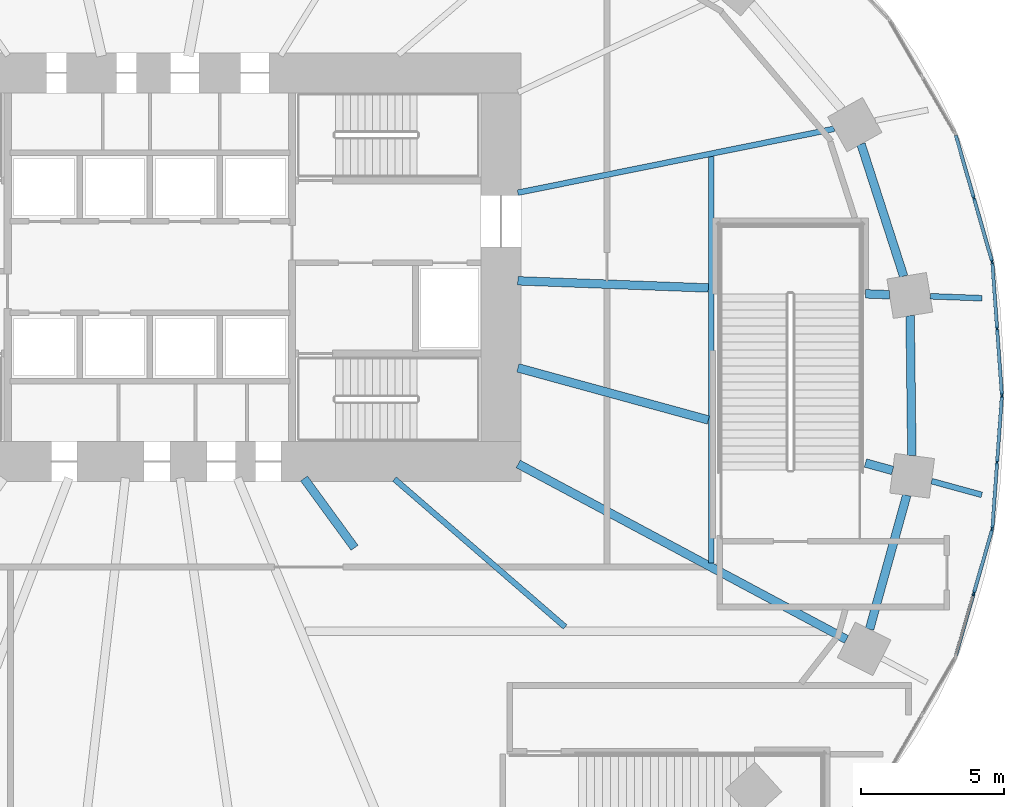
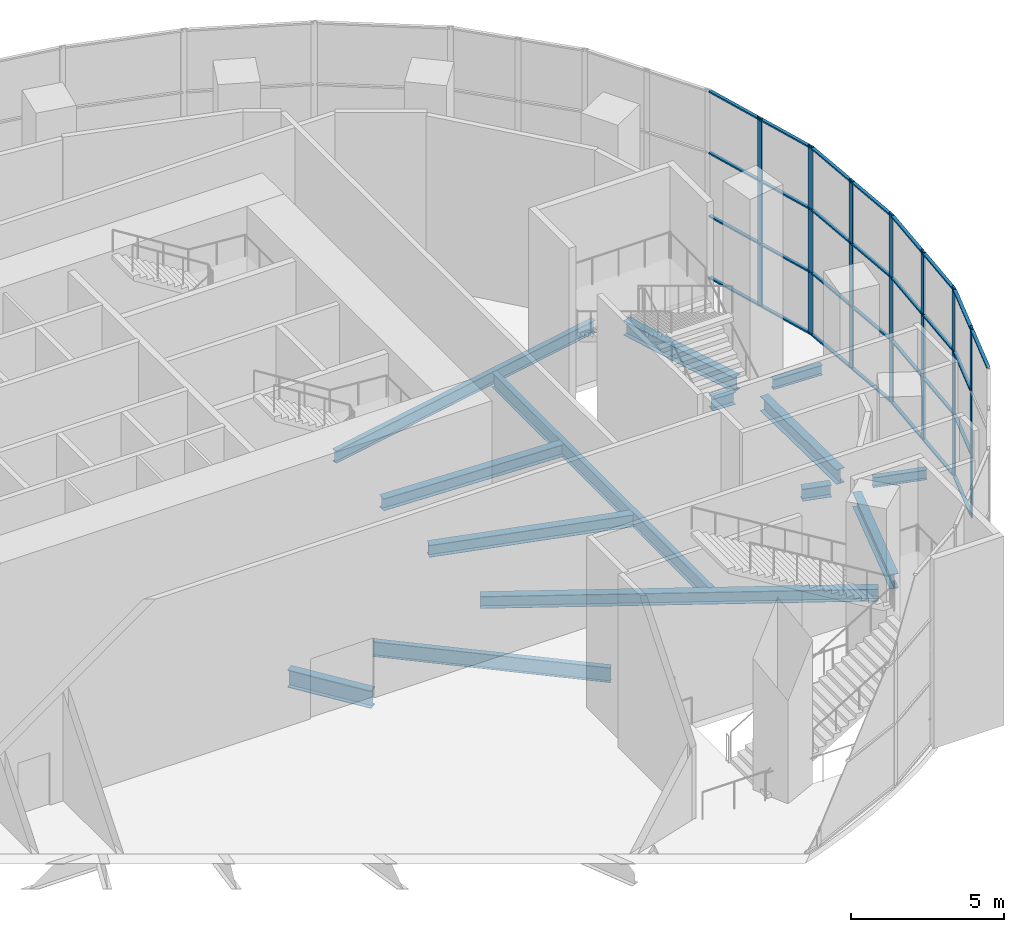
# One storey, part 6 of 22: 36 members, 14 beams, 4 elements without a shape of their own.
"""IFC4 building model written with IfcOpenShell, lengths in metres."""

from ifc_helpers import new_model, si_unit, direction, frame, origin, origin_2d, place, context, subcontext, project, spatial, rectangle, i_section, extrude, material, material_profile, profile_set, type_object, element, aggregate, save


model = new_model("IFC4")

# Units and contexts
model_context = context("Model", 3, precision=1e-05, world=origin(), true_north=direction((0.0, 1.0)))
body_context = subcontext(model_context, "Body", "Model", "MODEL_VIEW")
ifc_project = project(units=[si_unit("LENGTHUNIT", "METRE"), si_unit("AREAUNIT", "SQUARE_METRE"), si_unit("VOLUMEUNIT", "CUBIC_METRE"), si_unit("PLANEANGLEUNIT", "RADIAN"), si_unit("MASSUNIT", "GRAM", prefix="KILO")], contexts=[model_context])

# Site, building, storey
site_placement = place(None, origin())
site = spatial("IfcSite", under=ifc_project, at=site_placement, CompositionType="ELEMENT")
building_placement = place(site_placement, origin())
building = spatial("IfcBuilding", under=site, at=building_placement, Name="Rubra Terraces Tower", CompositionType="ELEMENT")
storey_placement = place(building_placement, frame((0.0, 0.0, 7.199951171875)))
storey = spatial("IfcBuildingStorey", under=building, at=storey_placement, Name="L01", CompositionType="ELEMENT", Elevation=7.199951171875)

# Beams
ifc_material_1 = material(Name="Steel Q355B", Category="steel")
ifc_material_profile_1 = material_profile(ifc_material_1, i_section(OverallWidth=0.199951171875, OverallDepth=0.39990234375, WebThickness=0.008056640625, FlangeThickness=0.012939453125, at=origin_2d()), Name="HN 400x200x8x13")
ifc_profile_set_1 = profile_set([ifc_material_profile_1], Name="Steel Q355B")
beam_type_1 = type_object("IfcBeamType", Name="CANTILEVER BEAM HN 400x200x8x13", PredefinedType="BEAM", material=ifc_profile_set_1)
beam_1_placement = place(storey_placement, frame((27.319091796875, 3.47607421875, -0.449951171875), z_axis=(0.999296482656, -0.037503863151, 0.0), x_axis=(0.037503863151, 0.999296482656, 0.0)))
element("IfcBeam", 1, at=beam_1_placement, inside=storey, type_object=beam_type_1, Name="beam-L01-cant-01", PredefinedType="BEAM", context=body_context, shape_type="SweptSolid", body=[
    extrude(i_section(OverallWidth=0.199951171875, OverallDepth=0.39990234375, WebThickness=0.008056640625, FlangeThickness=0.012939453125, at=origin_2d()), origin(), (0.0, 0.0, 1.0), 1.816162109375),
])
beam_2_placement = place(storey_placement, frame((27.365966796875, -2.9951171875, -0.449951171875), z_axis=(0.964481687863, -0.264149718489, 0.0), x_axis=(0.264149718489, 0.964481687863, 0.0)))
element("IfcBeam", 2, at=beam_2_placement, inside=storey, type_object=beam_type_1, Name="beam-L01-cant-24", PredefinedType="BEAM", context=body_context, shape_type="SweptSolid", body=[
    extrude(i_section(OverallWidth=0.199951171875, OverallDepth=0.39990234375, WebThickness=0.008056640625, FlangeThickness=0.012939453125, at=origin_2d()), origin(), (0.0, 0.0, 1.0), 1.82080078125),
])
ifc_material_profile_2 = material_profile(ifc_material_1, i_section(OverallWidth=0.300048828125, OverallDepth=0.48193359375, WebThickness=0.010986328125, FlangeThickness=0.014892578125, at=origin_2d()), Name="HM 482x300x11x15")
ifc_profile_set_2 = profile_set([ifc_material_profile_2], Name="Steel Q355B")
beam_type_2 = type_object("IfcBeamType", Name="FLOOR BEAM HM 482x300x11x15", PredefinedType="BEAM", material=ifc_profile_set_2)
beam_3_placement = place(storey_placement, frame((25.89111328125, 3.530029296875, -0.490966796875), z_axis=(-0.999321176912, 0.036839996943, 0.0), x_axis=(-0.036839996943, -0.999321176912, 0.0)))
element("IfcBeam", 3, at=beam_3_placement, inside=storey, type_object=beam_type_2, Name="beam-L01-floor-01-a", PredefinedType="BEAM", context=body_context, shape_type="SweptSolid", body=[
    extrude(i_section(OverallWidth=0.300048828125, OverallDepth=0.48193359375, WebThickness=0.010986328125, FlangeThickness=0.014892578125, at=origin_2d()), origin(), (0.0, 0.0, 1.0), 0.841552734375),
])
beam_4_placement = place(storey_placement, frame((19.550048828125, 3.76708984375, -0.490966796875), z_axis=(-0.99929835172, 0.037454028482, 0.0), x_axis=(-0.037454028482, -0.99929835172, 0.0)))
element("IfcBeam", 4, at=beam_4_placement, inside=storey, type_object=beam_type_2, Name="beam-L01-floor-01-b", PredefinedType="BEAM", context=body_context, shape_type="SweptSolid", body=[
    extrude(i_section(OverallWidth=0.300048828125, OverallDepth=0.48193359375, WebThickness=0.010986328125, FlangeThickness=0.014892578125, at=origin_2d()), origin(), (0.0, 0.0, 1.0), 6.6748046875),
])
beam_5_placement = place(storey_placement, frame((24.385009765625, -8.535888671875, -0.490966796875), z_axis=(-0.881896613876, 0.471442851716, 0.0), x_axis=(-0.471442851716, -0.881896613876, 0.0)))
element("IfcBeam", 5, at=beam_5_placement, inside=storey, type_object=beam_type_2, Name="beam-L01-floor-23", PredefinedType="BEAM", context=body_context, shape_type="SweptSolid", body=[
    extrude(i_section(OverallWidth=0.300048828125, OverallDepth=0.48193359375, WebThickness=0.010986328125, FlangeThickness=0.014892578125, at=origin_2d()), origin(), (0.0, 0.0, 1.0), 13.02978515625),
])
beam_6_placement = place(storey_placement, frame((26.001953125, -2.62109375, -0.490966796875), z_axis=(-0.964409050959, 0.264414792376, 0.0), x_axis=(-0.264414792376, -0.964409050959, 0.0)))
element("IfcBeam", 6, at=beam_6_placement, inside=storey, type_object=beam_type_2, Name="beam-L01-floor-24-a", PredefinedType="BEAM", context=body_context, shape_type="SweptSolid", body=[
    extrude(i_section(OverallWidth=0.300048828125, OverallDepth=0.48193359375, WebThickness=0.010986328125, FlangeThickness=0.014892578125, at=origin_2d()), origin(), (0.0, 0.0, 1.0), 0.987060546875),
])
beam_7_placement = place(storey_placement, frame((19.550048828125, -0.85498046875, -0.490966796875), z_axis=(-0.96447222005, 0.26418428559, 0.0), x_axis=(-0.26418428559, -0.96447222005, 0.0)))
element("IfcBeam", 7, at=beam_7_placement, inside=storey, type_object=beam_type_2, Name="beam-L01-floor-24-b", PredefinedType="BEAM", context=body_context, shape_type="SweptSolid", body=[
    extrude(i_section(OverallWidth=0.300048828125, OverallDepth=0.48193359375, WebThickness=0.010986328125, FlangeThickness=0.014892578125, at=origin_2d()), origin(), (0.0, 0.0, 1.0), 6.91162109375),
])
ifc_material_profile_3 = material_profile(ifc_material_1, i_section(OverallWidth=0.198974609375, OverallDepth=0.49609375, WebThickness=0.009033203125, FlangeThickness=0.013916015625, at=origin_2d()), Name="HN 496x199x9x14")
ifc_profile_set_3 = profile_set([ifc_material_profile_3], Name="Steel Q355B")
beam_type_3 = type_object("IfcBeamType", Name="FLOOR BEAM HN 496x199x9x14", PredefinedType="BEAM", material=ifc_profile_set_3)
beam_8_placement = place(storey_placement, frame((23.9560546875, 9.337890625, -0.498046875), z_axis=(-0.980204035637, -0.197990021264, 0.0), x_axis=(0.197990021264, -0.980204035637, 0.0)))
element("IfcBeam", 8, at=beam_8_placement, inside=storey, type_object=beam_type_3, Name="beam-L01-floor-02", PredefinedType="BEAM", context=body_context, shape_type="SweptSolid", body=[
    extrude(i_section(OverallWidth=0.198974609375, OverallDepth=0.49609375, WebThickness=0.009033203125, FlangeThickness=0.013916015625, at=origin_2d()), origin(), (0.0, 0.0, 1.0), 11.297607421875),
])
ifc_material_profile_4 = material_profile(ifc_material_1, i_section(OverallWidth=0.198974609375, OverallDepth=0.595947265625, WebThickness=0.010009765625, FlangeThickness=0.014892578125, at=origin_2d()), Name="HN 596x199x10x15")
ifc_profile_set_4 = profile_set([ifc_material_profile_4], Name="Steel Q355B")
beam_type_4 = type_object("IfcBeamType", Name="FLOOR BEAM HN 596x199x10x15", PredefinedType="BEAM", material=ifc_profile_set_4)
beam_9_placement = place(storey_placement, frame((14.5390625, -8.10009765625, -0.5478515625), z_axis=(-0.755693157297, 0.654925837033, 0.0), x_axis=(-0.654925837033, -0.755693157297, 0.0)))
element("IfcBeam", 9, at=beam_9_placement, inside=storey, type_object=beam_type_4, Name="beam-L01-floor-22-a", PredefinedType="BEAM", context=body_context, shape_type="SweptSolid", body=[
    extrude(i_section(OverallWidth=0.198974609375, OverallDepth=0.595947265625, WebThickness=0.010009765625, FlangeThickness=0.014892578125, at=origin_2d()), origin(), (0.0, 0.0, 1.0), 7.907958984375),
])
ifc_material_profile_5 = material_profile(ifc_material_1, i_section(OverallWidth=0.300048828125, OverallDepth=0.699951171875, WebThickness=0.012939453125, FlangeThickness=0.02392578125, at=origin_2d()), Name="HN 700x300x13x24")
ifc_profile_set_5 = profile_set([ifc_material_profile_5], Name="Steel Q355B")
beam_type_5 = type_object("IfcBeamType", Name="FLOOR BEAM HN 700x300x13x24", PredefinedType="BEAM", material=ifc_profile_set_5)
beam_10_placement = place(storey_placement, frame((7.1669921875, -5.326904296875, -0.599853515625), z_axis=(-0.589322677246, 0.807897754722, 0.0), x_axis=(-0.807897754722, -0.589322677246, 0.0)))
element("IfcBeam", 10, at=beam_10_placement, inside=storey, type_object=beam_type_5, Name="beam-L01-floor-21-a", PredefinedType="BEAM", context=body_context, shape_type="SweptSolid", body=[
    extrude(i_section(OverallWidth=0.300048828125, OverallDepth=0.699951171875, WebThickness=0.012939453125, FlangeThickness=0.02392578125, at=origin_2d()), origin(), (0.0, 0.0, 1.0), 3.000244140625),
])

# Curtain wall, members
ifc_material_2 = material(Name="Aluminium and glass", Category="aluminium")
curtain_wall_type = type_object("IfcCurtainWallType", Name="Curtain wall Podium glazing", PredefinedType="NOTDEFINED", material=ifc_material_2)
curtain_wall_1_placement = place(storey_placement, origin())
curtain_wall_1 = element("IfcCurtainWall", 11, at=curtain_wall_1_placement, inside=storey, type_object=curtain_wall_type, Name="L01 glazing bay 1", PredefinedType="NOTDEFINED")
ifc_material_3 = material(Name="Aluminium, anodised dark grey", Category="aluminium")
ifc_material_profile_6 = material_profile(ifc_material_3, rectangle(XDim=0.06005859375, YDim=0.199951171875, at=origin_2d()), Name="AL 60x200")
ifc_profile_set_6 = profile_set([ifc_material_profile_6], Name="Aluminium, anodised dark grey")
member_type_1 = type_object("IfcMemberType", Name="Podium glazing mullion 60 x 200", PredefinedType="MULLION", material=ifc_profile_set_6)
member_1_placement = place(storey_placement, frame((29.822998046875, 0.0244140625, 0.0), z_axis=(0.0, 0.0, 1.0), x_axis=(-0.997419621076, -0.071792057306, 0.0)))
member_1 = element("IfcMember", 12, at=member_1_placement, type_object=member_type_1, Name="CW1 mullion 1", PredefinedType="MULLION", context=body_context, shape_type="SweptSolid", body=[
    extrude(rectangle(XDim=0.06005859375, YDim=0.199951171875, at=origin_2d()), origin(), (0.0, 0.0, 1.0), 7.550048828125),
])
member_2_placement = place(storey_placement, frame((29.65673828125, 2.335693359375, 0.0), z_axis=(0.0, 0.0, 1.0), x_axis=(-0.997419621076, -0.071792057306, 0.0)))
member_2 = element("IfcMember", 13, at=member_2_placement, type_object=member_type_1, Name="CW1 mullion 2", PredefinedType="MULLION", context=body_context, shape_type="SweptSolid", body=[
    extrude(rectangle(XDim=0.06005859375, YDim=0.199951171875, at=origin_2d()), origin(), (0.0, 0.0, 1.0), 7.550048828125),
])

curtain_wall_2_placement = place(storey_placement, origin())
curtain_wall_2 = element("IfcCurtainWall", 14, at=curtain_wall_2_placement, inside=storey, type_object=curtain_wall_type, Name="L01 glazing bay 2", PredefinedType="NOTDEFINED")
member_3_placement = place(storey_placement, frame((29.482666015625, 4.690185546875, 0.0), z_axis=(0.0, 0.0, 1.0), x_axis=(-0.961047339404, -0.276383811798, 0.0)))
member_3 = element("IfcMember", 15, at=member_3_placement, type_object=member_type_1, Name="CW1 mullion 1", PredefinedType="MULLION", context=body_context, shape_type="SweptSolid", body=[
    extrude(rectangle(XDim=0.06005859375, YDim=0.199951171875, at=origin_2d()), origin(), (0.0, 0.0, 1.0), 7.550048828125),
])
member_4_placement = place(storey_placement, frame((28.843505859375, 6.912841796875, 0.0), z_axis=(0.0, 0.0, 1.0), x_axis=(-0.961047339404, -0.276383811798, 0.0)))
member_4 = element("IfcMember", 16, at=member_4_placement, type_object=member_type_1, Name="CW1 mullion 2", PredefinedType="MULLION", context=body_context, shape_type="SweptSolid", body=[
    extrude(rectangle(XDim=0.06005859375, YDim=0.199951171875, at=origin_2d()), origin(), (0.0, 0.0, 1.0), 7.550048828125),
])

# Curtain wall, member
curtain_wall_3_placement = place(storey_placement, origin())
curtain_wall_3 = element("IfcCurtainWall", 17, at=curtain_wall_3_placement, inside=storey, type_object=curtain_wall_type, Name="L01 glazing bay 39", PredefinedType="NOTDEFINED")
member_5_placement = place(storey_placement, frame((28.843505859375, -6.912841796875, 0.0), z_axis=(0.0, 0.0, 1.0), x_axis=(-0.961047339404, 0.276383811798, 0.0)))
member_5 = element("IfcMember", 18, at=member_5_placement, type_object=member_type_1, Name="CW1 mullion 2", PredefinedType="MULLION", context=body_context, shape_type="SweptSolid", body=[
    extrude(rectangle(XDim=0.06005859375, YDim=0.199951171875, at=origin_2d()), origin(), (0.0, 0.0, 1.0), 7.550048828125),
])

# Curtain wall, members
curtain_wall_4_placement = place(storey_placement, origin())
curtain_wall_4 = element("IfcCurtainWall", 19, at=curtain_wall_4_placement, inside=storey, type_object=curtain_wall_type, Name="L01 glazing bay 40", PredefinedType="NOTDEFINED")
member_6_placement = place(storey_placement, frame((29.490234375, -4.646728515625, 0.0), z_axis=(0.0, 0.0, 1.0), x_axis=(-0.997419621076, 0.071792057306, 0.0)))
member_6 = element("IfcMember", 20, at=member_6_placement, type_object=member_type_1, Name="CW1 mullion 1", PredefinedType="MULLION", context=body_context, shape_type="SweptSolid", body=[
    extrude(rectangle(XDim=0.06005859375, YDim=0.199951171875, at=origin_2d()), origin(), (0.0, 0.0, 1.0), 7.550048828125),
])
member_7_placement = place(storey_placement, frame((29.65673828125, -2.335693359375, 0.0), z_axis=(0.0, 0.0, 1.0), x_axis=(-0.997419621076, 0.071792057306, 0.0)))
member_7 = element("IfcMember", 21, at=member_7_placement, type_object=member_type_1, Name="CW1 mullion 2", PredefinedType="MULLION", context=body_context, shape_type="SweptSolid", body=[
    extrude(rectangle(XDim=0.06005859375, YDim=0.199951171875, at=origin_2d()), origin(), (0.0, 0.0, 1.0), 7.550048828125),
])

# Member
ifc_material_profile_7 = material_profile(ifc_material_3, rectangle(XDim=0.1201171875, YDim=0.06005859375, at=origin_2d()), Name="AL 120x60")
ifc_profile_set_7 = profile_set([ifc_material_profile_7], Name="Aluminium, anodised dark grey")
member_type_2 = type_object("IfcMemberType", Name="Podium glazing transom 120 x 60", PredefinedType="USERDEFINED", material=ifc_profile_set_7)
member_8_placement = place(storey_placement, frame((29.82080078125, 0.054443359375, 0.06005859375), z_axis=(-0.071715956886, 0.997425095698, 0.0), x_axis=(-0.997425095698, -0.071715956886, 0.0)))
member_8 = element("IfcMember", 22, at=member_8_placement, type_object=member_type_2, Name="CW1 transom 1.1", ObjectType="TRANSOM", PredefinedType="USERDEFINED", context=body_context, shape_type="SweptSolid", body=[
    extrude(rectangle(XDim=0.1201171875, YDim=0.06005859375, at=origin_2d()), origin(), (0.0, 0.0, 1.0), 2.257080078125),
])

member_9_placement = place(storey_placement, frame((29.82080078125, 0.054443359375, 2.516845703125), z_axis=(-0.071715956886, 0.997425095698, 0.0), x_axis=(-0.997425095698, -0.071715956886, 0.0)))
member_9 = element("IfcMember", 23, at=member_9_placement, type_object=member_type_2, Name="CW1 transom 1.2", ObjectType="TRANSOM", PredefinedType="USERDEFINED", context=body_context, shape_type="SweptSolid", body=[
    extrude(rectangle(XDim=0.1201171875, YDim=0.06005859375, at=origin_2d()), origin(), (0.0, 0.0, 1.0), 2.257080078125),
])

member_10_placement = place(storey_placement, frame((29.82080078125, 0.054443359375, 5.033447265625), z_axis=(-0.071715956886, 0.997425095698, 0.0), x_axis=(-0.997425095698, -0.071715956886, 0.0)))
member_10 = element("IfcMember", 24, at=member_10_placement, type_object=member_type_2, Name="CW1 transom 1.3", ObjectType="TRANSOM", PredefinedType="USERDEFINED", context=body_context, shape_type="SweptSolid", body=[
    extrude(rectangle(XDim=0.1201171875, YDim=0.06005859375, at=origin_2d()), origin(), (0.0, 0.0, 1.0), 2.257080078125),
])

member_11_placement = place(storey_placement, frame((29.82080078125, 0.054443359375, 7.489990234375), z_axis=(-0.071715956886, 0.997425095698, 0.0), x_axis=(-0.997425095698, -0.071715956886, 0.0)))
member_11 = element("IfcMember", 25, at=member_11_placement, type_object=member_type_2, Name="CW1 transom 1.4", ObjectType="TRANSOM", PredefinedType="USERDEFINED", context=body_context, shape_type="SweptSolid", body=[
    extrude(rectangle(XDim=0.1201171875, YDim=0.06005859375, at=origin_2d()), origin(), (0.0, 0.0, 1.0), 2.257080078125),
])

member_12_placement = place(storey_placement, frame((29.654541015625, 2.365478515625, 0.06005859375), z_axis=(-0.071823568166, 0.997417352494, 0.0), x_axis=(-0.997417352494, -0.071823568166, 0.0)))
member_12 = element("IfcMember", 26, at=member_12_placement, type_object=member_type_2, Name="CW1 transom 2.1", ObjectType="TRANSOM", PredefinedType="USERDEFINED", context=body_context, shape_type="SweptSolid", body=[
    extrude(rectangle(XDim=0.1201171875, YDim=0.06005859375, at=origin_2d()), origin(), (0.0, 0.0, 1.0), 2.257080078125),
])

member_13_placement = place(storey_placement, frame((29.654541015625, 2.365478515625, 2.516845703125), z_axis=(-0.071823568166, 0.997417352494, 0.0), x_axis=(-0.997417352494, -0.071823568166, 0.0)))
member_13 = element("IfcMember", 27, at=member_13_placement, type_object=member_type_2, Name="CW1 transom 2.2", ObjectType="TRANSOM", PredefinedType="USERDEFINED", context=body_context, shape_type="SweptSolid", body=[
    extrude(rectangle(XDim=0.1201171875, YDim=0.06005859375, at=origin_2d()), origin(), (0.0, 0.0, 1.0), 2.257080078125),
])

member_14_placement = place(storey_placement, frame((29.654541015625, 2.365478515625, 5.033447265625), z_axis=(-0.071823568166, 0.997417352494, 0.0), x_axis=(-0.997417352494, -0.071823568166, 0.0)))
member_14 = element("IfcMember", 28, at=member_14_placement, type_object=member_type_2, Name="CW1 transom 2.3", ObjectType="TRANSOM", PredefinedType="USERDEFINED", context=body_context, shape_type="SweptSolid", body=[
    extrude(rectangle(XDim=0.1201171875, YDim=0.06005859375, at=origin_2d()), origin(), (0.0, 0.0, 1.0), 2.257080078125),
])

member_15_placement = place(storey_placement, frame((29.654541015625, 2.365478515625, 7.489990234375), z_axis=(-0.071823568166, 0.997417352494, 0.0), x_axis=(-0.997417352494, -0.071823568166, 0.0)))
member_15 = element("IfcMember", 29, at=member_15_placement, type_object=member_type_2, Name="CW1 transom 2.4", ObjectType="TRANSOM", PredefinedType="USERDEFINED", context=body_context, shape_type="SweptSolid", body=[
    extrude(rectangle(XDim=0.1201171875, YDim=0.06005859375, at=origin_2d()), origin(), (0.0, 0.0, 1.0), 2.257080078125),
])

aggregate(curtain_wall_1, [member_1, member_2, member_8, member_9, member_10, member_11, member_12, member_13, member_14, member_15])

member_16_placement = place(storey_placement, frame((29.474365234375, 4.718994140625, 0.06005859375), z_axis=(-0.276352469421, 0.961056352481, 0.0), x_axis=(-0.961056352481, -0.276352469421, 0.0)))
member_16 = element("IfcMember", 30, at=member_16_placement, type_object=member_type_2, Name="CW1 transom 1.1", ObjectType="TRANSOM", PredefinedType="USERDEFINED", context=body_context, shape_type="SweptSolid", body=[
    extrude(rectangle(XDim=0.1201171875, YDim=0.06005859375, at=origin_2d()), origin(), (0.0, 0.0, 1.0), 2.252685546875),
])

member_17_placement = place(storey_placement, frame((29.474365234375, 4.718994140625, 2.516845703125), z_axis=(-0.276352469421, 0.961056352481, 0.0), x_axis=(-0.961056352481, -0.276352469421, 0.0)))
member_17 = element("IfcMember", 31, at=member_17_placement, type_object=member_type_2, Name="CW1 transom 1.2", ObjectType="TRANSOM", PredefinedType="USERDEFINED", context=body_context, shape_type="SweptSolid", body=[
    extrude(rectangle(XDim=0.1201171875, YDim=0.06005859375, at=origin_2d()), origin(), (0.0, 0.0, 1.0), 2.252685546875),
])

member_18_placement = place(storey_placement, frame((29.474365234375, 4.718994140625, 5.033447265625), z_axis=(-0.276352469421, 0.961056352481, 0.0), x_axis=(-0.961056352481, -0.276352469421, 0.0)))
member_18 = element("IfcMember", 32, at=member_18_placement, type_object=member_type_2, Name="CW1 transom 1.3", ObjectType="TRANSOM", PredefinedType="USERDEFINED", context=body_context, shape_type="SweptSolid", body=[
    extrude(rectangle(XDim=0.1201171875, YDim=0.06005859375, at=origin_2d()), origin(), (0.0, 0.0, 1.0), 2.252685546875),
])

member_19_placement = place(storey_placement, frame((29.474365234375, 4.718994140625, 7.489990234375), z_axis=(-0.276352469421, 0.961056352481, 0.0), x_axis=(-0.961056352481, -0.276352469421, 0.0)))
member_19 = element("IfcMember", 33, at=member_19_placement, type_object=member_type_2, Name="CW1 transom 1.4", ObjectType="TRANSOM", PredefinedType="USERDEFINED", context=body_context, shape_type="SweptSolid", body=[
    extrude(rectangle(XDim=0.1201171875, YDim=0.06005859375, at=origin_2d()), origin(), (0.0, 0.0, 1.0), 2.252685546875),
])

member_20_placement = place(storey_placement, frame((28.835205078125, 6.941650390625, 0.06005859375), z_axis=(-0.276452561882, 0.961027565177, 0.0), x_axis=(-0.961027565177, -0.276452561882, 0.0)))
member_20 = element("IfcMember", 34, at=member_20_placement, type_object=member_type_2, Name="CW1 transom 2.1", ObjectType="TRANSOM", PredefinedType="USERDEFINED", context=body_context, shape_type="SweptSolid", body=[
    extrude(rectangle(XDim=0.1201171875, YDim=0.06005859375, at=origin_2d()), origin(), (0.0, 0.0, 1.0), 2.2529296875),
])

member_21_placement = place(storey_placement, frame((28.835205078125, 6.941650390625, 2.516845703125), z_axis=(-0.276452561882, 0.961027565177, 0.0), x_axis=(-0.961027565177, -0.276452561882, 0.0)))
member_21 = element("IfcMember", 35, at=member_21_placement, type_object=member_type_2, Name="CW1 transom 2.2", ObjectType="TRANSOM", PredefinedType="USERDEFINED", context=body_context, shape_type="SweptSolid", body=[
    extrude(rectangle(XDim=0.1201171875, YDim=0.06005859375, at=origin_2d()), origin(), (0.0, 0.0, 1.0), 2.2529296875),
])

member_22_placement = place(storey_placement, frame((28.835205078125, 6.941650390625, 5.033447265625), z_axis=(-0.276452561882, 0.961027565177, 0.0), x_axis=(-0.961027565177, -0.276452561882, 0.0)))
member_22 = element("IfcMember", 36, at=member_22_placement, type_object=member_type_2, Name="CW1 transom 2.3", ObjectType="TRANSOM", PredefinedType="USERDEFINED", context=body_context, shape_type="SweptSolid", body=[
    extrude(rectangle(XDim=0.1201171875, YDim=0.06005859375, at=origin_2d()), origin(), (0.0, 0.0, 1.0), 2.2529296875),
])

member_23_placement = place(storey_placement, frame((28.835205078125, 6.941650390625, 7.489990234375), z_axis=(-0.276452561882, 0.961027565177, 0.0), x_axis=(-0.961027565177, -0.276452561882, 0.0)))
member_23 = element("IfcMember", 37, at=member_23_placement, type_object=member_type_2, Name="CW1 transom 2.4", ObjectType="TRANSOM", PredefinedType="USERDEFINED", context=body_context, shape_type="SweptSolid", body=[
    extrude(rectangle(XDim=0.1201171875, YDim=0.06005859375, at=origin_2d()), origin(), (0.0, 0.0, 1.0), 2.2529296875),
])

aggregate(curtain_wall_2, [member_3, member_4, member_16, member_17, member_18, member_19, member_20, member_21, member_22, member_23])

member_24_placement = place(storey_placement, frame((28.21240234375, -9.106689453125, 7.489990234375), z_axis=(0.276452561882, 0.961027565177, 0.0), x_axis=(-0.961027565177, 0.276452561882, 0.0)))
member_24 = element("IfcMember", 38, at=member_24_placement, type_object=member_type_2, Name="CW1 transom 1.4", ObjectType="TRANSOM", PredefinedType="USERDEFINED", context=body_context, shape_type="SweptSolid", body=[
    extrude(rectangle(XDim=0.1201171875, YDim=0.06005859375, at=origin_2d()), origin(), (0.0, 0.0, 1.0), 2.2529296875),
])

member_25_placement = place(storey_placement, frame((28.851806640625, -6.884033203125, 0.06005859375), z_axis=(0.276352469421, 0.961056352481, 0.0), x_axis=(-0.961056352481, 0.276352469421, 0.0)))
member_25 = element("IfcMember", 39, at=member_25_placement, type_object=member_type_2, Name="CW1 transom 2.1", ObjectType="TRANSOM", PredefinedType="USERDEFINED", context=body_context, shape_type="SweptSolid", body=[
    extrude(rectangle(XDim=0.1201171875, YDim=0.06005859375, at=origin_2d()), origin(), (0.0, 0.0, 1.0), 2.252685546875),
])

member_26_placement = place(storey_placement, frame((28.851806640625, -6.884033203125, 2.516845703125), z_axis=(0.276352469421, 0.961056352481, 0.0), x_axis=(-0.961056352481, 0.276352469421, 0.0)))
member_26 = element("IfcMember", 40, at=member_26_placement, type_object=member_type_2, Name="CW1 transom 2.2", ObjectType="TRANSOM", PredefinedType="USERDEFINED", context=body_context, shape_type="SweptSolid", body=[
    extrude(rectangle(XDim=0.1201171875, YDim=0.06005859375, at=origin_2d()), origin(), (0.0, 0.0, 1.0), 2.252685546875),
])

member_27_placement = place(storey_placement, frame((28.851806640625, -6.884033203125, 5.033447265625), z_axis=(0.276352469421, 0.961056352481, 0.0), x_axis=(-0.961056352481, 0.276352469421, 0.0)))
member_27 = element("IfcMember", 41, at=member_27_placement, type_object=member_type_2, Name="CW1 transom 2.3", ObjectType="TRANSOM", PredefinedType="USERDEFINED", context=body_context, shape_type="SweptSolid", body=[
    extrude(rectangle(XDim=0.1201171875, YDim=0.06005859375, at=origin_2d()), origin(), (0.0, 0.0, 1.0), 2.252685546875),
])

member_28_placement = place(storey_placement, frame((28.851806640625, -6.884033203125, 7.489990234375), z_axis=(0.276352469421, 0.961056352481, 0.0), x_axis=(-0.961056352481, 0.276352469421, 0.0)))
member_28 = element("IfcMember", 42, at=member_28_placement, type_object=member_type_2, Name="CW1 transom 2.4", ObjectType="TRANSOM", PredefinedType="USERDEFINED", context=body_context, shape_type="SweptSolid", body=[
    extrude(rectangle(XDim=0.1201171875, YDim=0.06005859375, at=origin_2d()), origin(), (0.0, 0.0, 1.0), 2.252685546875),
])

aggregate(curtain_wall_3, [member_5, member_24, member_25, member_26, member_27, member_28])

member_29_placement = place(storey_placement, frame((29.492431640625, -4.61669921875, 0.06005859375), z_axis=(0.071823568166, 0.997417352494, 0.0), x_axis=(-0.997417352494, 0.071823568166, 0.0)))
member_29 = element("IfcMember", 43, at=member_29_placement, type_object=member_type_2, Name="CW1 transom 1.1", ObjectType="TRANSOM", PredefinedType="USERDEFINED", context=body_context, shape_type="SweptSolid", body=[
    extrude(rectangle(XDim=0.1201171875, YDim=0.06005859375, at=origin_2d()), origin(), (0.0, 0.0, 1.0), 2.257080078125),
])

member_30_placement = place(storey_placement, frame((29.492431640625, -4.61669921875, 2.516845703125), z_axis=(0.071823568166, 0.997417352494, 0.0), x_axis=(-0.997417352494, 0.071823568166, 0.0)))
member_30 = element("IfcMember", 44, at=member_30_placement, type_object=member_type_2, Name="CW1 transom 1.2", ObjectType="TRANSOM", PredefinedType="USERDEFINED", context=body_context, shape_type="SweptSolid", body=[
    extrude(rectangle(XDim=0.1201171875, YDim=0.06005859375, at=origin_2d()), origin(), (0.0, 0.0, 1.0), 2.257080078125),
])

member_31_placement = place(storey_placement, frame((29.492431640625, -4.61669921875, 5.033447265625), z_axis=(0.071823568166, 0.997417352494, 0.0), x_axis=(-0.997417352494, 0.071823568166, 0.0)))
member_31 = element("IfcMember", 45, at=member_31_placement, type_object=member_type_2, Name="CW1 transom 1.3", ObjectType="TRANSOM", PredefinedType="USERDEFINED", context=body_context, shape_type="SweptSolid", body=[
    extrude(rectangle(XDim=0.1201171875, YDim=0.06005859375, at=origin_2d()), origin(), (0.0, 0.0, 1.0), 2.257080078125),
])

member_32_placement = place(storey_placement, frame((29.492431640625, -4.61669921875, 7.489990234375), z_axis=(0.071823568166, 0.997417352494, 0.0), x_axis=(-0.997417352494, 0.071823568166, 0.0)))
member_32 = element("IfcMember", 46, at=member_32_placement, type_object=member_type_2, Name="CW1 transom 1.4", ObjectType="TRANSOM", PredefinedType="USERDEFINED", context=body_context, shape_type="SweptSolid", body=[
    extrude(rectangle(XDim=0.1201171875, YDim=0.06005859375, at=origin_2d()), origin(), (0.0, 0.0, 1.0), 2.257080078125),
])

member_33_placement = place(storey_placement, frame((29.658935546875, -2.3056640625, 0.06005859375), z_axis=(0.071715956886, 0.997425095698, 0.0), x_axis=(-0.997425095698, 0.071715956886, 0.0)))
member_33 = element("IfcMember", 47, at=member_33_placement, type_object=member_type_2, Name="CW1 transom 2.1", ObjectType="TRANSOM", PredefinedType="USERDEFINED", context=body_context, shape_type="SweptSolid", body=[
    extrude(rectangle(XDim=0.1201171875, YDim=0.06005859375, at=origin_2d()), origin(), (0.0, 0.0, 1.0), 2.257080078125),
])

member_34_placement = place(storey_placement, frame((29.658935546875, -2.3056640625, 2.516845703125), z_axis=(0.071715956886, 0.997425095698, 0.0), x_axis=(-0.997425095698, 0.071715956886, 0.0)))
member_34 = element("IfcMember", 48, at=member_34_placement, type_object=member_type_2, Name="CW1 transom 2.2", ObjectType="TRANSOM", PredefinedType="USERDEFINED", context=body_context, shape_type="SweptSolid", body=[
    extrude(rectangle(XDim=0.1201171875, YDim=0.06005859375, at=origin_2d()), origin(), (0.0, 0.0, 1.0), 2.257080078125),
])

member_35_placement = place(storey_placement, frame((29.658935546875, -2.3056640625, 5.033447265625), z_axis=(0.071715956886, 0.997425095698, 0.0), x_axis=(-0.997425095698, 0.071715956886, 0.0)))
member_35 = element("IfcMember", 49, at=member_35_placement, type_object=member_type_2, Name="CW1 transom 2.3", ObjectType="TRANSOM", PredefinedType="USERDEFINED", context=body_context, shape_type="SweptSolid", body=[
    extrude(rectangle(XDim=0.1201171875, YDim=0.06005859375, at=origin_2d()), origin(), (0.0, 0.0, 1.0), 2.257080078125),
])

member_36_placement = place(storey_placement, frame((29.658935546875, -2.3056640625, 7.489990234375), z_axis=(0.071715956886, 0.997425095698, 0.0), x_axis=(-0.997425095698, 0.071715956886, 0.0)))
member_36 = element("IfcMember", 50, at=member_36_placement, type_object=member_type_2, Name="CW1 transom 2.4", ObjectType="TRANSOM", PredefinedType="USERDEFINED", context=body_context, shape_type="SweptSolid", body=[
    extrude(rectangle(XDim=0.1201171875, YDim=0.06005859375, at=origin_2d()), origin(), (0.0, 0.0, 1.0), 2.257080078125),
])

aggregate(curtain_wall_4, [member_6, member_7, member_29, member_30, member_31, member_32, member_33, member_34, member_35, member_36])

# Beams
ifc_material_profile_8 = material_profile(ifc_material_1, i_section(OverallWidth=0.300048828125, OverallDepth=0.587890625, WebThickness=0.011962890625, FlangeThickness=0.02001953125, at=origin_2d()), Name="HM 588x300x12x20")
ifc_profile_set_8 = profile_set([ifc_material_profile_8], Name="Steel Q355B")
beam_type_6 = type_object("IfcBeamType", Name="SPANDREL BEAM HM 588x300x12x20", PredefinedType="SPANDREL", material=ifc_profile_set_8)
beam_11_placement = place(storey_placement, frame((26.387939453125, 4.177001953125, -0.5439453125), z_axis=(-0.30706880261, 0.951687317591, 0.0), x_axis=(-0.951687317591, -0.30706880261, 0.0)))
element("IfcBeam", 51, at=beam_11_placement, inside=storey, type_object=beam_type_6, Name="beam-L01-spandrel-01", PredefinedType="SPANDREL", context=body_context, shape_type="SweptSolid", body=[
    extrude(i_section(OverallWidth=0.300048828125, OverallDepth=0.587890625, WebThickness=0.011962890625, FlangeThickness=0.02001953125, at=origin_2d()), origin(), (0.0, 0.0, 1.0), 4.86181640625),
])
beam_12_placement = place(storey_placement, frame((25.194091796875, -8.177978515625, -0.5439453125), z_axis=(0.267364386726, 0.96359549849, 0.0), x_axis=(-0.96359549849, 0.267364386726, 0.0)))
element("IfcBeam", 52, at=beam_12_placement, inside=storey, type_object=beam_type_6, Name="beam-L01-spandrel-23", PredefinedType="SPANDREL", context=body_context, shape_type="SweptSolid", body=[
    extrude(i_section(OverallWidth=0.300048828125, OverallDepth=0.587890625, WebThickness=0.011962890625, FlangeThickness=0.02001953125, at=origin_2d()), origin(), (0.0, 0.0, 1.0), 4.8662109375),
])
beam_13_placement = place(storey_placement, frame((26.675048828125, -2.10107421875, -0.5439453125), z_axis=(-0.012465372298, 0.999922304228, 0.0), x_axis=(-0.999922304228, -0.012465372298, 0.0)))
element("IfcBeam", 53, at=beam_13_placement, inside=storey, type_object=beam_type_6, Name="beam-L01-spandrel-24", PredefinedType="SPANDREL", context=body_context, shape_type="SweptSolid", body=[
    extrude(i_section(OverallWidth=0.300048828125, OverallDepth=0.587890625, WebThickness=0.011962890625, FlangeThickness=0.02001953125, at=origin_2d()), origin(), (0.0, 0.0, 1.0), 4.896484375),
])
ifc_material_profile_9 = material_profile(ifc_material_1, i_section(OverallWidth=0.198974609375, OverallDepth=0.595947265625, WebThickness=0.010009765625, FlangeThickness=0.014892578125, at=origin_2d()), Name="HN 596x199x10x15")
ifc_profile_set_9 = profile_set([ifc_material_profile_9], Name="Steel Q355B")
beam_type_7 = type_object("IfcBeamType", Name="TRIMMER BEAM HN 596x199x10x15", PredefinedType="BEAM", material=ifc_profile_set_9)
beam_14_placement = place(storey_placement, frame((19.64990234375, -5.85400390625, -0.5478515625), z_axis=(0.0, 1.0, 0.0), x_axis=(-1.0, 0.0, 0.0)))
element("IfcBeam", 54, at=beam_14_placement, inside=storey, type_object=beam_type_7, Name="beam-L01-header-2-xlo", PredefinedType="BEAM", context=body_context, shape_type="SweptSolid", body=[
    extrude(i_section(OverallWidth=0.198974609375, OverallDepth=0.595947265625, WebThickness=0.010009765625, FlangeThickness=0.014892578125, at=origin_2d()), origin(), (0.0, 0.0, 1.0), 14.222900390625),
])

save(model, "model.ifc")
